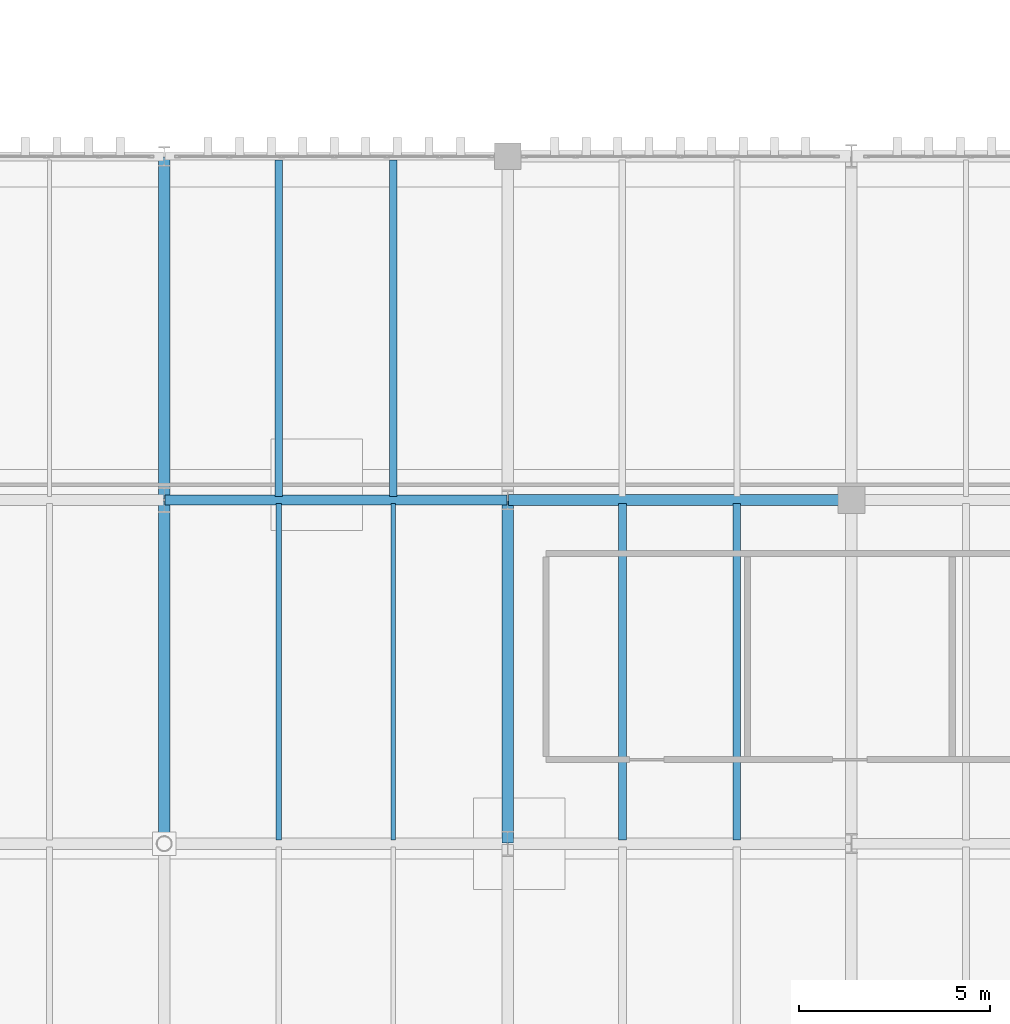
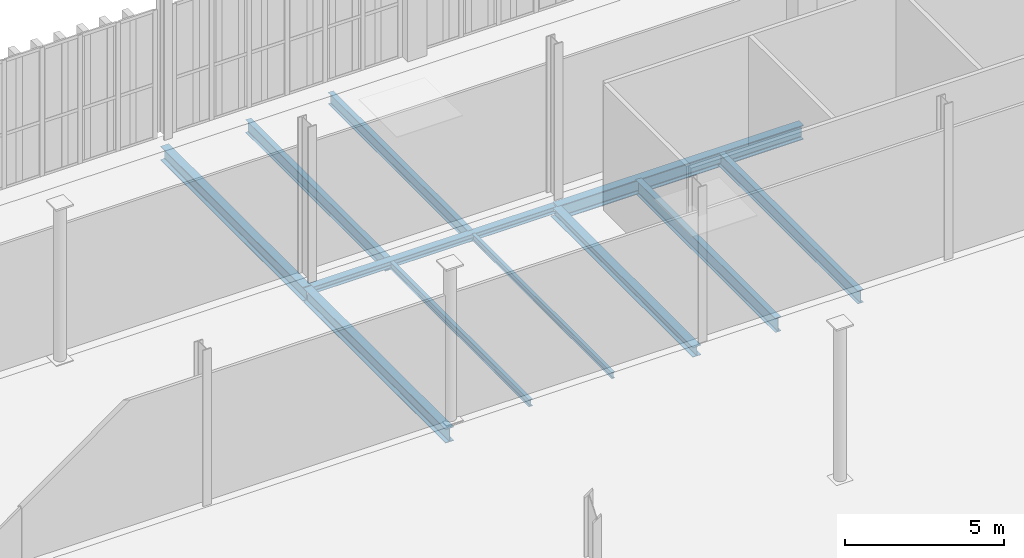
# One storey, part 94 of 211: 11 beams.
"""IFC4 building model written with IfcOpenShell, lengths in metres."""

from ifc_helpers import new_model, si_unit, direction, frame, origin, origin_2d, place, context, subcontext, project, spatial, i_section, extrude, material, material_profile, profile_set, type_object, element, save


model = new_model("IFC4")

# Units and contexts
model_context = context("Model", 3, precision=1e-05, world=origin(), true_north=direction((0.0, 1.0)))
body_context = subcontext(model_context, "Body", "Model", "MODEL_VIEW")
ifc_project = project(units=[si_unit("LENGTHUNIT", "METRE"), si_unit("AREAUNIT", "SQUARE_METRE"), si_unit("VOLUMEUNIT", "CUBIC_METRE"), si_unit("PLANEANGLEUNIT", "RADIAN"), si_unit("MASSUNIT", "GRAM", prefix="KILO")], contexts=[model_context])

# Site, building, storey
site_placement = place(None, origin())
site = spatial("IfcSite", under=ifc_project, at=site_placement, CompositionType="ELEMENT")
building_placement = place(site_placement, origin())
building = spatial("IfcBuilding", under=site, at=building_placement, Name="Barlavento Convention Centre", CompositionType="ELEMENT")
storey_placement = place(building_placement, frame((0.0, 0.0, 6.0)))
storey = spatial("IfcBuildingStorey", under=building, at=storey_placement, Name="L01", CompositionType="ELEMENT", Elevation=6.0)

# Beams
ifc_material = material(Name="Steel S355", Category="steel")
ifc_material_profile_1 = material_profile(ifc_material, i_section(OverallWidth=0.1201171875, OverallDepth=0.239990234375, WebThickness=0.006103515625, FlangeThickness=0.009765625, FilletRadius=0.014892578125, at=origin_2d()), Name="IPE 240")
ifc_profile_set_1 = profile_set([ifc_material_profile_1], Name="Steel S355")
beam_type_1 = type_object("IfcBeamType", Name="STR-BM-JST-IPE240", PredefinedType="JOIST", material=ifc_profile_set_1)
beam_1_placement = place(storey_placement, frame((150.0, 45.094970703125, -0.47998046875), z_axis=(0.0, 1.0, 0.0), x_axis=(-1.0, 0.0, 0.0)))
element("IfcBeam", 1, at=beam_1_placement, inside=storey, type_object=beam_type_1, Name="L01 composite floor joist SJ09", PredefinedType="JOIST", context=body_context, shape_type="SweptSolid", body=[
    extrude(i_section(OverallWidth=0.1201171875, OverallDepth=0.239990234375, WebThickness=0.006103515625, FlangeThickness=0.009765625, FilletRadius=0.014892578125, at=origin_2d()), origin(), (0.0, 0.0, 1.0), 8.81005859375),
])
ifc_material_profile_2 = material_profile(ifc_material, i_section(OverallWidth=0.135009765625, OverallDepth=0.27001953125, WebThickness=0.006591796875, FlangeThickness=0.01025390625, FilletRadius=0.014892578125, at=origin_2d()), Name="IPE 270")
ifc_profile_set_2 = profile_set([ifc_material_profile_2], Name="Steel S355")
beam_type_2 = type_object("IfcBeamType", Name="STR-BM-JST-IPE270", PredefinedType="JOIST", material=ifc_profile_set_2)
beam_2_placement = place(storey_placement, frame((147.0, 45.094970703125, -0.4951171875), z_axis=(0.0, 1.0, 0.0), x_axis=(-1.0, 0.0, 0.0)))
element("IfcBeam", 2, at=beam_2_placement, inside=storey, type_object=beam_type_2, Name="L01 composite floor joist SJ08", PredefinedType="JOIST", context=body_context, shape_type="SweptSolid", body=[
    extrude(i_section(OverallWidth=0.135009765625, OverallDepth=0.27001953125, WebThickness=0.006591796875, FlangeThickness=0.01025390625, FilletRadius=0.014892578125, at=origin_2d()), origin(), (0.0, 0.0, 1.0), 8.81005859375),
])
ifc_material_profile_3 = material_profile(ifc_material, i_section(OverallWidth=0.18994140625, OverallDepth=0.449951171875, WebThickness=0.009521484375, FlangeThickness=0.0146484375, FilletRadius=0.02099609375, at=origin_2d()), Name="IPE 450")
ifc_profile_set_3 = profile_set([ifc_material_profile_3], Name="Steel S355")
beam_type_3 = type_object("IfcBeamType", Name="STR-BM-JST-IPE450", PredefinedType="JOIST", material=ifc_profile_set_3)
beam_3_placement = place(storey_placement, frame((150.0, 54.094970703125, -0.5849609375), z_axis=(0.0, 1.0, 0.0), x_axis=(-1.0, 0.0, 0.0)))
element("IfcBeam", 3, at=beam_3_placement, inside=storey, type_object=beam_type_3, Name="L01 composite floor joist SJ03", PredefinedType="JOIST", context=body_context, shape_type="SweptSolid", body=[
    extrude(i_section(OverallWidth=0.18994140625, OverallDepth=0.449951171875, WebThickness=0.009521484375, FlangeThickness=0.0146484375, FilletRadius=0.02099609375, at=origin_2d()), origin(), (0.0, 0.0, 1.0), 8.81005859375),
])
ifc_material_profile_4 = material_profile(ifc_material, i_section(OverallWidth=0.199951171875, OverallDepth=0.5, WebThickness=0.01025390625, FlangeThickness=0.01611328125, FilletRadius=0.02099609375, at=origin_2d()), Name="IPE 500")
ifc_profile_set_4 = profile_set([ifc_material_profile_4], Name="Steel S355")
beam_type_4 = type_object("IfcBeamType", Name="STR-BM-JST-IPE500", PredefinedType="JOIST", material=ifc_profile_set_4)
for number, where, z_axis, x_axis, name in (
    (4, (159.0, 45.094970703125, -0.610107421875), (0.0, 1.0, 0.0), (-1.0, 0.0, 0.0), "L01 composite floor joist SJ02"),
    (5, (147.0, 54.094970703125, -0.610107421875), (0.0, 1.0, 0.0), (-1.0, 0.0, 0.0), "L01 composite floor joist SJ02"),
):
    element("IfcBeam", number, at=place(storey_placement, frame(where, z_axis=z_axis, x_axis=x_axis)), inside=storey, type_object=beam_type_4, Name=name, PredefinedType="JOIST", context=body_context, shape_type="SweptSolid", body=[
        extrude(i_section(OverallWidth=0.199951171875, OverallDepth=0.5, WebThickness=0.01025390625, FlangeThickness=0.01611328125, FilletRadius=0.02099609375, at=origin_2d()), origin(), (0.0, 0.0, 1.0), 8.81005859375),
    ])
ifc_material_profile_5 = material_profile(ifc_material, i_section(OverallWidth=0.2099609375, OverallDepth=0.550048828125, WebThickness=0.010986328125, FlangeThickness=0.01708984375, FilletRadius=0.02392578125, at=origin_2d()), Name="IPE 550")
ifc_profile_set_5 = profile_set([ifc_material_profile_5], Name="Steel S355")
beam_type_5 = type_object("IfcBeamType", Name="STR-BM-JST-IPE550", PredefinedType="JOIST", material=ifc_profile_set_5)
beam_4_placement = place(storey_placement, frame((156.0, 45.094970703125, -0.635009765625), z_axis=(0.0, 1.0, 0.0), x_axis=(-1.0, 0.0, 0.0)))
element("IfcBeam", 6, at=beam_4_placement, inside=storey, type_object=beam_type_5, Name="L01 composite floor joist SJ01", PredefinedType="JOIST", context=body_context, shape_type="SweptSolid", body=[
    extrude(i_section(OverallWidth=0.2099609375, OverallDepth=0.550048828125, WebThickness=0.010986328125, FlangeThickness=0.01708984375, FilletRadius=0.02392578125, at=origin_2d()), origin(), (0.0, 0.0, 1.0), 8.81005859375),
])
ifc_material_profile_6 = material_profile(ifc_material, i_section(OverallWidth=0.300048828125, OverallDepth=0.389892578125, WebThickness=0.010986328125, FlangeThickness=0.01904296875, FilletRadius=0.027099609375, at=origin_2d()), Name="HEA 400")
ifc_profile_set_6 = profile_set([ifc_material_profile_6], Name="Steel S355")
beam_type_6 = type_object("IfcBeamType", Name="STR-BM-PRI-HEA400", PredefinedType="BEAM", material=ifc_profile_set_6)
beam_5_placement = place(storey_placement, frame((153.0, 45.02001953125, -0.554931640625), z_axis=(0.0, 1.0, 0.0), x_axis=(-1.0, 0.0, 0.0)))
element("IfcBeam", 7, at=beam_5_placement, inside=storey, type_object=beam_type_6, Name="L01 grid girder BG22", PredefinedType="BEAM", context=body_context, shape_type="SweptSolid", body=[
    extrude(i_section(OverallWidth=0.300048828125, OverallDepth=0.389892578125, WebThickness=0.010986328125, FlangeThickness=0.01904296875, FilletRadius=0.027099609375, at=origin_2d()), origin(), (0.0, 0.0, 1.0), 8.9599609375),
])
ifc_material_profile_7 = material_profile(ifc_material, i_section(OverallWidth=0.300048828125, OverallDepth=0.5400390625, WebThickness=0.012451171875, FlangeThickness=0.02392578125, FilletRadius=0.027099609375, at=origin_2d()), Name="HEA 550")
ifc_profile_set_7 = profile_set([ifc_material_profile_7], Name="Steel S355")
beam_type_7 = type_object("IfcBeamType", Name="STR-BM-PRI-HEA550", PredefinedType="BEAM", material=ifc_profile_set_7)
for number, where, z_axis, x_axis, name in (
    (8, (144.0, 45.02001953125, -0.6298828125), (0.0, 1.0, 0.0), (-1.0, 0.0, 0.0), "L01 grid girder BG19"),
    (9, (144.0, 54.02001953125, -0.6298828125), (0.0, 1.0, 0.0), (-1.0, 0.0, 0.0), "L01 grid girder BG19"),
):
    element("IfcBeam", number, at=place(storey_placement, frame(where, z_axis=z_axis, x_axis=x_axis)), inside=storey, type_object=beam_type_7, Name=name, PredefinedType="BEAM", context=body_context, shape_type="SweptSolid", body=[
        extrude(i_section(OverallWidth=0.300048828125, OverallDepth=0.5400390625, WebThickness=0.012451171875, FlangeThickness=0.02392578125, FilletRadius=0.027099609375, at=origin_2d()), origin(), (0.0, 0.0, 1.0), 8.9599609375),
    ])
ifc_material_profile_8 = material_profile(ifc_material, i_section(OverallWidth=0.260009765625, OverallDepth=0.260009765625, WebThickness=0.010009765625, FlangeThickness=0.017578125, FilletRadius=0.02392578125, at=origin_2d()), Name="HEB 260")
ifc_profile_set_8 = profile_set([ifc_material_profile_8], Name="Steel S355")
beam_type_8 = type_object("IfcBeamType", Name="STR-BM-PRI-HEB260", PredefinedType="BEAM", material=ifc_profile_set_8)
beam_6_placement = place(storey_placement, frame((144.02001953125, 54.0, -0.489990234375), z_axis=(1.0, 0.0, 0.0), x_axis=(0.0, 1.0, 0.0)))
element("IfcBeam", 10, at=beam_6_placement, inside=storey, type_object=beam_type_8, Name="L01 primary girder BG16", PredefinedType="BEAM", context=body_context, shape_type="SweptSolid", body=[
    extrude(i_section(OverallWidth=0.260009765625, OverallDepth=0.260009765625, WebThickness=0.010009765625, FlangeThickness=0.017578125, FilletRadius=0.02392578125, at=origin_2d()), origin(), (0.0, 0.0, 1.0), 8.9599609375),
])
ifc_material_profile_9 = material_profile(ifc_material, i_section(OverallWidth=0.300048828125, OverallDepth=0.550048828125, WebThickness=0.014892578125, FlangeThickness=0.029052734375, FilletRadius=0.027099609375, at=origin_2d()), Name="HEB 550")
ifc_profile_set_9 = profile_set([ifc_material_profile_9], Name="Steel S355")
beam_type_9 = type_object("IfcBeamType", Name="STR-BM-PRI-HEB550", PredefinedType="BEAM", material=ifc_profile_set_9)
beam_7_placement = place(storey_placement, frame((153.02001953125, 54.0, -0.635009765625), z_axis=(1.0, 0.0, 0.0), x_axis=(0.0, 1.0, 0.0)))
element("IfcBeam", 11, at=beam_7_placement, inside=storey, type_object=beam_type_9, Name="L01 primary girder BG08", PredefinedType="BEAM", context=body_context, shape_type="SweptSolid", body=[
    extrude(i_section(OverallWidth=0.300048828125, OverallDepth=0.550048828125, WebThickness=0.014892578125, FlangeThickness=0.029052734375, FilletRadius=0.027099609375, at=origin_2d()), origin(), (0.0, 0.0, 1.0), 8.9599609375),
])

save(model, "model.ifc")
